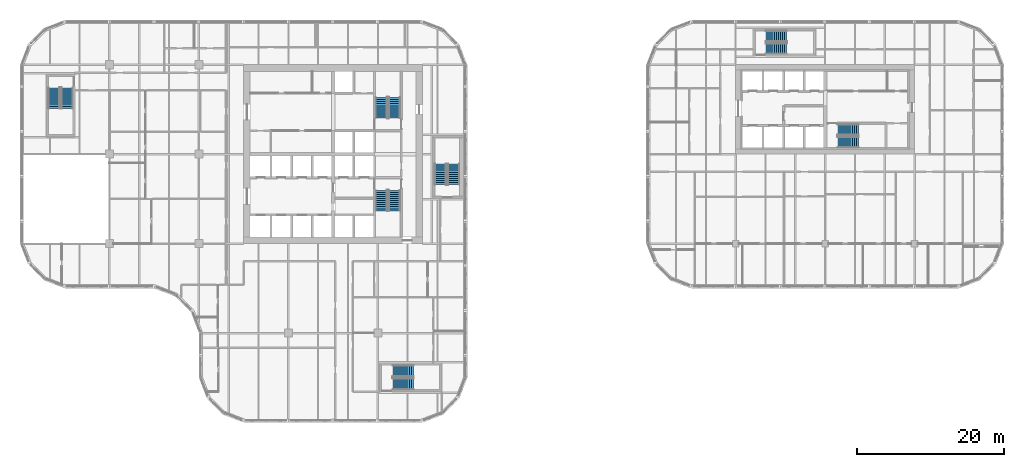
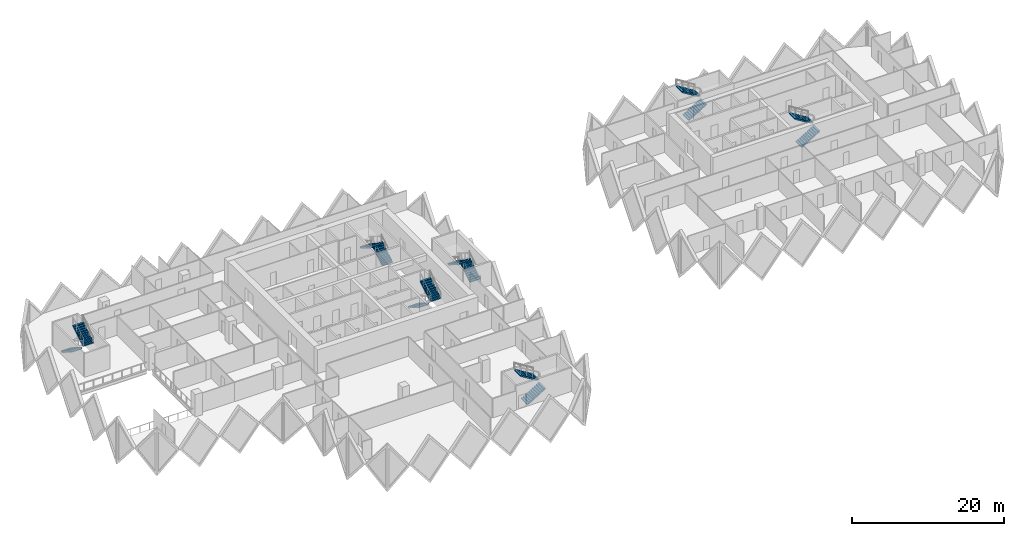
# One storey, part 17 of 19: 14 stair flights, 7 elements without a shape of their own.
"""IFC4 building model written with IfcOpenShell, lengths in metres."""

from ifc_helpers import new_model, si_unit, direction, frame, origin, place, context, subcontext, project, spatial, polyline, outline, extrude, material, type_object, element, aggregate, save


model = new_model("IFC4")

# Units and contexts
model_context = context("Model", 3, precision=1e-05, world=origin(), true_north=direction((0.0, 1.0)))
body_context = subcontext(model_context, "Body", "Model", "MODEL_VIEW")
ifc_project = project(units=[si_unit("LENGTHUNIT", "METRE"), si_unit("AREAUNIT", "SQUARE_METRE"), si_unit("VOLUMEUNIT", "CUBIC_METRE"), si_unit("PLANEANGLEUNIT", "RADIAN"), si_unit("MASSUNIT", "GRAM", prefix="KILO")], contexts=[model_context])

# Site, building, storey
site_placement = place(None, origin())
site = spatial("IfcSite", under=ifc_project, at=site_placement, CompositionType="ELEMENT")
building_placement = place(site_placement, origin())
building = spatial("IfcBuilding", under=site, at=building_placement, Name="Tessera Gate Towers", CompositionType="ELEMENT")
storey_placement = place(building_placement, frame((0.0, 0.0, 29.60009765625)))
storey = spatial("IfcBuildingStorey", under=building, at=storey_placement, Name="L06", CompositionType="ELEMENT", Elevation=29.60009765625)

# Stair, stair flights
ifc_material_1 = material(Name="Concrete C40/50", Category="concrete")
stair_type_1 = type_object("IfcStairType", Name="EXIT STAIR ST1 1600", PredefinedType="HALF_TURN_STAIR", material=ifc_material_1)
stair_1_placement = place(storey_placement, origin())
stair_1 = element("IfcStair", 1, at=stair_1_placement, inside=storey, type_object=stair_type_1, Name="L06 Protected Exit Stair ST1", PredefinedType="HALF_TURN_STAIR")
ifc_material_2 = material(Name="Concrete C40/50", Category="concrete")
stair_flight_type_1 = type_object("IfcStairFlightType", Name="EXIT STAIR FLIGHT ST1 1600", PredefinedType="STRAIGHT", material=ifc_material_2)
stair_flight_1_placement = place(storey_placement, frame((49.27490234375, 31.675048828125, 0.0), z_axis=(0.0, 0.0, 1.0), x_axis=(0.0, -1.0, 0.0)))
stair_flight_1 = element("IfcStairFlight", 2, at=stair_flight_1_placement, type_object=stair_flight_type_1, Name="ST1 flight 1", NumberOfRisers=11, NumberOfTreads=10, PredefinedType="STRAIGHT", RiserHeight=0.172727273, TreadLength=0.28, context=body_context, shape_type="SweptSolid", body=[
    extrude(outline(polyline([(0.0, 0.0), (0.0, 0.172607421875), (0.280029296875, 0.172607421875), (0.280029296875, 0.345458984375), (0.56005859375, 0.345458984375), (0.56005859375, 0.51806640625), (0.840087890625, 0.51806640625), (0.840087890625, 0.69091796875), (1.1201171875, 0.69091796875), (1.1201171875, 0.863525390625), (1.39990234375, 0.863525390625), (1.39990234375, 1.036376953125), (1.679931640625, 1.036376953125), (1.679931640625, 1.208984375), (1.9599609375, 1.208984375), (1.9599609375, 1.3818359375), (2.239990234375, 1.3818359375), (2.239990234375, 1.554443359375), (2.52001953125, 1.554443359375), (2.52001953125, 1.727294921875), (2.800048828125, 1.727294921875), (2.800048828125, 1.89990234375), (2.800048828125, 1.551025390625), (0.285400390625, 0.0), (0.0, 0.0)])), frame((0.0, 0.800048828125, 0.0), z_axis=(0.0, -1.0, 0.0), x_axis=(1.0, 0.0, 0.0)), (0.0, 0.0, 1.0), 1.60009765625),
])
stair_flight_2_placement = place(storey_placement, frame((51.074951171875, 28.875, 1.89990234375), z_axis=(0.0, 0.0, 1.0), x_axis=(0.0, 1.0, 0.0)))
stair_flight_2 = element("IfcStairFlight", 3, at=stair_flight_2_placement, type_object=stair_flight_type_1, Name="ST1 flight 2", NumberOfRisers=11, NumberOfTreads=10, PredefinedType="STRAIGHT", RiserHeight=0.172727273, TreadLength=0.28, context=body_context, shape_type="SweptSolid", body=[
    extrude(outline(polyline([(0.0, 0.0), (0.0, 0.172607421875), (0.280029296875, 0.172607421875), (0.280029296875, 0.345458984375), (0.56005859375, 0.345458984375), (0.56005859375, 0.51806640625), (0.840087890625, 0.51806640625), (0.840087890625, 0.69091796875), (1.1201171875, 0.69091796875), (1.1201171875, 0.863525390625), (1.39990234375, 0.863525390625), (1.39990234375, 1.036376953125), (1.679931640625, 1.036376953125), (1.679931640625, 1.208984375), (1.9599609375, 1.208984375), (1.9599609375, 1.3818359375), (2.239990234375, 1.3818359375), (2.239990234375, 1.554443359375), (2.52001953125, 1.554443359375), (2.52001953125, 1.727294921875), (2.800048828125, 1.727294921875), (2.800048828125, 1.89990234375), (2.800048828125, 1.551025390625), (0.285400390625, 0.0), (0.0, 0.0)])), frame((0.0, 0.800048828125, 0.0), z_axis=(0.0, -1.0, 0.0), x_axis=(1.0, 0.0, 0.0)), (0.0, 0.0, 1.0), 1.60009765625),
])
aggregate(stair_1, [stair_flight_1, stair_flight_2])

ifc_material_3 = material(Name="Concrete C40/50", Category="concrete")
stair_type_2 = type_object("IfcStairType", Name="EXIT STAIR ST2 1600", PredefinedType="HALF_TURN_STAIR", material=ifc_material_3)
stair_2_placement = place(storey_placement, origin())
stair_2 = element("IfcStair", 4, at=stair_2_placement, inside=storey, type_object=stair_type_2, Name="L06 Protected Exit Stair ST2", PredefinedType="HALF_TURN_STAIR")
ifc_material_4 = material(Name="Concrete C40/50", Category="concrete")
stair_flight_type_2 = type_object("IfcStairFlightType", Name="EXIT STAIR FLIGHT ST2 1600", PredefinedType="STRAIGHT", material=ifc_material_4)
stair_flight_3_placement = place(storey_placement, frame((51.074951171875, 41.52490234375, 0.0), z_axis=(0.0, 0.0, 1.0), x_axis=(0.0, 1.0, 0.0)))
stair_flight_3 = element("IfcStairFlight", 5, at=stair_flight_3_placement, type_object=stair_flight_type_2, Name="ST2 flight 1", NumberOfRisers=11, NumberOfTreads=10, PredefinedType="STRAIGHT", RiserHeight=0.172727273, TreadLength=0.28, context=body_context, shape_type="SweptSolid", body=[
    extrude(outline(polyline([(0.0, 0.0), (0.0, 0.172607421875), (0.280029296875, 0.172607421875), (0.280029296875, 0.345458984375), (0.56005859375, 0.345458984375), (0.56005859375, 0.51806640625), (0.840087890625, 0.51806640625), (0.840087890625, 0.69091796875), (1.1201171875, 0.69091796875), (1.1201171875, 0.863525390625), (1.39990234375, 0.863525390625), (1.39990234375, 1.036376953125), (1.679931640625, 1.036376953125), (1.679931640625, 1.208984375), (1.9599609375, 1.208984375), (1.9599609375, 1.3818359375), (2.239990234375, 1.3818359375), (2.239990234375, 1.554443359375), (2.52001953125, 1.554443359375), (2.52001953125, 1.727294921875), (2.800048828125, 1.727294921875), (2.800048828125, 1.89990234375), (2.800048828125, 1.551025390625), (0.285400390625, 0.0), (0.0, 0.0)])), frame((0.0, 0.800048828125, 0.0), z_axis=(0.0, -1.0, 0.0), x_axis=(1.0, 0.0, 0.0)), (0.0, 0.0, 1.0), 1.60009765625),
])
stair_flight_4_placement = place(storey_placement, frame((49.27490234375, 44.324951171875, 1.89990234375), z_axis=(0.0, 0.0, 1.0), x_axis=(0.0, -1.0, 0.0)))
stair_flight_4 = element("IfcStairFlight", 6, at=stair_flight_4_placement, type_object=stair_flight_type_2, Name="ST2 flight 2", NumberOfRisers=11, NumberOfTreads=10, PredefinedType="STRAIGHT", RiserHeight=0.172727273, TreadLength=0.28, context=body_context, shape_type="SweptSolid", body=[
    extrude(outline(polyline([(0.0, 0.0), (0.0, 0.172607421875), (0.280029296875, 0.172607421875), (0.280029296875, 0.345458984375), (0.56005859375, 0.345458984375), (0.56005859375, 0.51806640625), (0.840087890625, 0.51806640625), (0.840087890625, 0.69091796875), (1.1201171875, 0.69091796875), (1.1201171875, 0.863525390625), (1.39990234375, 0.863525390625), (1.39990234375, 1.036376953125), (1.679931640625, 1.036376953125), (1.679931640625, 1.208984375), (1.9599609375, 1.208984375), (1.9599609375, 1.3818359375), (2.239990234375, 1.3818359375), (2.239990234375, 1.554443359375), (2.52001953125, 1.554443359375), (2.52001953125, 1.727294921875), (2.800048828125, 1.727294921875), (2.800048828125, 1.89990234375), (2.800048828125, 1.551025390625), (0.285400390625, 0.0), (0.0, 0.0)])), frame((0.0, 0.800048828125, 0.0), z_axis=(0.0, -1.0, 0.0), x_axis=(1.0, 0.0, 0.0)), (0.0, 0.0, 1.0), 1.60009765625),
])
aggregate(stair_2, [stair_flight_3, stair_flight_4])

ifc_material_5 = material(Name="Concrete C40/50", Category="concrete")
stair_type_3 = type_object("IfcStairType", Name="EXIT STAIR ST3 1600", PredefinedType="HALF_TURN_STAIR", material=ifc_material_5)
stair_3_placement = place(storey_placement, origin())
stair_3 = element("IfcStair", 7, at=stair_3_placement, inside=storey, type_object=stair_type_3, Name="L06 West Exit Stair ST3", PredefinedType="HALF_TURN_STAIR")
ifc_material_6 = material(Name="Concrete C40/50", Category="concrete")
stair_flight_type_3 = type_object("IfcStairFlightType", Name="EXIT STAIR FLIGHT ST3 1600", PredefinedType="STRAIGHT", material=ifc_material_6)
stair_flight_5_placement = place(storey_placement, frame((4.64990234375, 45.64990234375, 0.0), z_axis=(0.0, 0.0, 1.0), x_axis=(0.0, -1.0, 0.0)))
stair_flight_5 = element("IfcStairFlight", 8, at=stair_flight_5_placement, type_object=stair_flight_type_3, Name="ST3 flight 1", NumberOfRisers=11, NumberOfTreads=10, PredefinedType="STRAIGHT", RiserHeight=0.172727273, TreadLength=0.28, context=body_context, shape_type="SweptSolid", body=[
    extrude(outline(polyline([(0.0, 0.0), (0.0, 0.172607421875), (0.280029296875, 0.172607421875), (0.280029296875, 0.345458984375), (0.56005859375, 0.345458984375), (0.56005859375, 0.51806640625), (0.840087890625, 0.51806640625), (0.840087890625, 0.69091796875), (1.1201171875, 0.69091796875), (1.1201171875, 0.863525390625), (1.39990234375, 0.863525390625), (1.39990234375, 1.036376953125), (1.679931640625, 1.036376953125), (1.679931640625, 1.208984375), (1.9599609375, 1.208984375), (1.9599609375, 1.3818359375), (2.239990234375, 1.3818359375), (2.239990234375, 1.554443359375), (2.52001953125, 1.554443359375), (2.52001953125, 1.727294921875), (2.800048828125, 1.727294921875), (2.800048828125, 1.89990234375), (2.800048828125, 1.551025390625), (0.285400390625, 0.0), (0.0, 0.0)])), frame((0.0, 0.800048828125, 0.0), z_axis=(0.0, -1.0, 0.0), x_axis=(1.0, 0.0, 0.0)), (0.0, 0.0, 1.0), 1.60009765625),
])
stair_flight_6_placement = place(storey_placement, frame((6.449951171875, 42.85009765625, 1.89990234375), z_axis=(0.0, 0.0, 1.0), x_axis=(0.0, 1.0, 0.0)))
stair_flight_6 = element("IfcStairFlight", 9, at=stair_flight_6_placement, type_object=stair_flight_type_3, Name="ST3 flight 2", NumberOfRisers=11, NumberOfTreads=10, PredefinedType="STRAIGHT", RiserHeight=0.172727273, TreadLength=0.28, context=body_context, shape_type="SweptSolid", body=[
    extrude(outline(polyline([(0.0, 0.0), (0.0, 0.172607421875), (0.280029296875, 0.172607421875), (0.280029296875, 0.345458984375), (0.56005859375, 0.345458984375), (0.56005859375, 0.51806640625), (0.840087890625, 0.51806640625), (0.840087890625, 0.69091796875), (1.1201171875, 0.69091796875), (1.1201171875, 0.863525390625), (1.39990234375, 0.863525390625), (1.39990234375, 1.036376953125), (1.679931640625, 1.036376953125), (1.679931640625, 1.208984375), (1.9599609375, 1.208984375), (1.9599609375, 1.3818359375), (2.239990234375, 1.3818359375), (2.239990234375, 1.554443359375), (2.52001953125, 1.554443359375), (2.52001953125, 1.727294921875), (2.800048828125, 1.727294921875), (2.800048828125, 1.89990234375), (2.800048828125, 1.551025390625), (0.285400390625, 0.0), (0.0, 0.0)])), frame((0.0, 0.800048828125, 0.0), z_axis=(0.0, -1.0, 0.0), x_axis=(1.0, 0.0, 0.0)), (0.0, 0.0, 1.0), 1.60009765625),
])
aggregate(stair_3, [stair_flight_5, stair_flight_6])

ifc_material_7 = material(Name="Concrete C40/50", Category="concrete")
stair_type_4 = type_object("IfcStairType", Name="EXIT STAIR ST4 1600", PredefinedType="HALF_TURN_STAIR", material=ifc_material_7)
stair_4_placement = place(storey_placement, origin())
stair_4 = element("IfcStair", 10, at=stair_4_placement, inside=storey, type_object=stair_type_4, Name="L06 South Exit Stair ST4", PredefinedType="HALF_TURN_STAIR")
ifc_material_8 = material(Name="Concrete C40/50", Category="concrete")
stair_flight_type_4 = type_object("IfcStairFlightType", Name="EXIT STAIR FLIGHT ST4 1600", PredefinedType="STRAIGHT", material=ifc_material_8)
stair_flight_7_placement = place(storey_placement, frame((50.85009765625, 5.25, 0.0), z_axis=(0.0, 0.0, 1.0), x_axis=(1.0, 0.0, 0.0)))
stair_flight_7 = element("IfcStairFlight", 11, at=stair_flight_7_placement, type_object=stair_flight_type_4, Name="ST4 flight 1", NumberOfRisers=11, NumberOfTreads=10, PredefinedType="STRAIGHT", RiserHeight=0.172727273, TreadLength=0.28, context=body_context, shape_type="SweptSolid", body=[
    extrude(outline(polyline([(0.0, 0.0), (0.0, 0.172607421875), (0.280029296875, 0.172607421875), (0.280029296875, 0.345458984375), (0.56005859375, 0.345458984375), (0.56005859375, 0.51806640625), (0.840087890625, 0.51806640625), (0.840087890625, 0.69091796875), (1.1201171875, 0.69091796875), (1.1201171875, 0.863525390625), (1.39990234375, 0.863525390625), (1.39990234375, 1.036376953125), (1.679931640625, 1.036376953125), (1.679931640625, 1.208984375), (1.9599609375, 1.208984375), (1.9599609375, 1.3818359375), (2.239990234375, 1.3818359375), (2.239990234375, 1.554443359375), (2.52001953125, 1.554443359375), (2.52001953125, 1.727294921875), (2.800048828125, 1.727294921875), (2.800048828125, 1.89990234375), (2.800048828125, 1.551025390625), (0.285400390625, 0.0), (0.0, 0.0)])), frame((0.0, 0.800048828125, 0.0), z_axis=(0.0, -1.0, 0.0), x_axis=(1.0, 0.0, 0.0)), (0.0, 0.0, 1.0), 1.60009765625),
])
stair_flight_8_placement = place(storey_placement, frame((53.64990234375, 7.050048828125, 1.89990234375), z_axis=(0.0, 0.0, 1.0), x_axis=(-1.0, 0.0, 0.0)))
stair_flight_8 = element("IfcStairFlight", 12, at=stair_flight_8_placement, type_object=stair_flight_type_4, Name="ST4 flight 2", NumberOfRisers=11, NumberOfTreads=10, PredefinedType="STRAIGHT", RiserHeight=0.172727273, TreadLength=0.28, context=body_context, shape_type="SweptSolid", body=[
    extrude(outline(polyline([(0.0, 0.0), (0.0, 0.172607421875), (0.280029296875, 0.172607421875), (0.280029296875, 0.345458984375), (0.56005859375, 0.345458984375), (0.56005859375, 0.51806640625), (0.840087890625, 0.51806640625), (0.840087890625, 0.69091796875), (1.1201171875, 0.69091796875), (1.1201171875, 0.863525390625), (1.39990234375, 0.863525390625), (1.39990234375, 1.036376953125), (1.679931640625, 1.036376953125), (1.679931640625, 1.208984375), (1.9599609375, 1.208984375), (1.9599609375, 1.3818359375), (2.239990234375, 1.3818359375), (2.239990234375, 1.554443359375), (2.52001953125, 1.554443359375), (2.52001953125, 1.727294921875), (2.800048828125, 1.727294921875), (2.800048828125, 1.89990234375), (2.800048828125, 1.551025390625), (0.285400390625, 0.0), (0.0, 0.0)])), frame((0.0, 0.800048828125, 0.0), z_axis=(0.0, -1.0, 0.0), x_axis=(1.0, 0.0, 0.0)), (0.0, 0.0, 1.0), 1.60009765625),
])
aggregate(stair_4, [stair_flight_7, stair_flight_8])

ifc_material_9 = material(Name="Concrete C40/50", Category="concrete")
stair_type_5 = type_object("IfcStairType", Name="EXIT STAIR ST5 1600", PredefinedType="HALF_TURN_STAIR", material=ifc_material_9)
stair_5_placement = place(storey_placement, origin())
stair_5 = element("IfcStair", 13, at=stair_5_placement, inside=storey, type_object=stair_type_5, Name="L06 East Exit Stair ST5", PredefinedType="HALF_TURN_STAIR")
ifc_material_10 = material(Name="Concrete C40/50", Category="concrete")
stair_flight_type_5 = type_object("IfcStairFlightType", Name="EXIT STAIR FLIGHT ST5 1600", PredefinedType="STRAIGHT", material=ifc_material_10)
stair_flight_9_placement = place(storey_placement, frame((59.14990234375, 32.449951171875, 0.0), z_axis=(0.0, 0.0, 1.0), x_axis=(0.0, 1.0, 0.0)))
stair_flight_9 = element("IfcStairFlight", 14, at=stair_flight_9_placement, type_object=stair_flight_type_5, Name="ST5 flight 1", NumberOfRisers=11, NumberOfTreads=10, PredefinedType="STRAIGHT", RiserHeight=0.172727273, TreadLength=0.28, context=body_context, shape_type="SweptSolid", body=[
    extrude(outline(polyline([(0.0, 0.0), (0.0, 0.172607421875), (0.280029296875, 0.172607421875), (0.280029296875, 0.345458984375), (0.56005859375, 0.345458984375), (0.56005859375, 0.51806640625), (0.840087890625, 0.51806640625), (0.840087890625, 0.69091796875), (1.1201171875, 0.69091796875), (1.1201171875, 0.863525390625), (1.39990234375, 0.863525390625), (1.39990234375, 1.036376953125), (1.679931640625, 1.036376953125), (1.679931640625, 1.208984375), (1.9599609375, 1.208984375), (1.9599609375, 1.3818359375), (2.239990234375, 1.3818359375), (2.239990234375, 1.554443359375), (2.52001953125, 1.554443359375), (2.52001953125, 1.727294921875), (2.800048828125, 1.727294921875), (2.800048828125, 1.89990234375), (2.800048828125, 1.551025390625), (0.285400390625, 0.0), (0.0, 0.0)])), frame((0.0, 0.800048828125, 0.0), z_axis=(0.0, -1.0, 0.0), x_axis=(1.0, 0.0, 0.0)), (0.0, 0.0, 1.0), 1.60009765625),
])
stair_flight_10_placement = place(storey_placement, frame((57.35009765625, 35.25, 1.89990234375), z_axis=(0.0, 0.0, 1.0), x_axis=(0.0, -1.0, 0.0)))
stair_flight_10 = element("IfcStairFlight", 15, at=stair_flight_10_placement, type_object=stair_flight_type_5, Name="ST5 flight 2", NumberOfRisers=11, NumberOfTreads=10, PredefinedType="STRAIGHT", RiserHeight=0.172727273, TreadLength=0.28, context=body_context, shape_type="SweptSolid", body=[
    extrude(outline(polyline([(0.0, 0.0), (0.0, 0.172607421875), (0.280029296875, 0.172607421875), (0.280029296875, 0.345458984375), (0.56005859375, 0.345458984375), (0.56005859375, 0.51806640625), (0.840087890625, 0.51806640625), (0.840087890625, 0.69091796875), (1.1201171875, 0.69091796875), (1.1201171875, 0.863525390625), (1.39990234375, 0.863525390625), (1.39990234375, 1.036376953125), (1.679931640625, 1.036376953125), (1.679931640625, 1.208984375), (1.9599609375, 1.208984375), (1.9599609375, 1.3818359375), (2.239990234375, 1.3818359375), (2.239990234375, 1.554443359375), (2.52001953125, 1.554443359375), (2.52001953125, 1.727294921875), (2.800048828125, 1.727294921875), (2.800048828125, 1.89990234375), (2.800048828125, 1.551025390625), (0.285400390625, 0.0), (0.0, 0.0)])), frame((0.0, 0.800048828125, 0.0), z_axis=(0.0, -1.0, 0.0), x_axis=(1.0, 0.0, 0.0)), (0.0, 0.0, 1.0), 1.60009765625),
])
aggregate(stair_5, [stair_flight_9, stair_flight_10])

ifc_material_11 = material(Name="Concrete C40/50", Category="concrete")
stair_type_6 = type_object("IfcStairType", Name="EXIT STAIR ST6 1500", PredefinedType="HALF_TURN_STAIR", material=ifc_material_11)
stair_6_placement = place(storey_placement, origin())
stair_6 = element("IfcStair", 16, at=stair_6_placement, inside=storey, type_object=stair_type_6, Name="L06 Protected Exit Stair ST6", PredefinedType="HALF_TURN_STAIR")
ifc_material_12 = material(Name="Concrete C40/50", Category="concrete")
stair_flight_type_6 = type_object("IfcStairFlightType", Name="EXIT STAIR FLIGHT ST6 1500", PredefinedType="STRAIGHT", material=ifc_material_12)
stair_flight_11_placement = place(storey_placement, frame((111.550048828125, 38.25, 0.0), z_axis=(0.0, 0.0, 1.0), x_axis=(1.0, 0.0, 0.0)))
stair_flight_11 = element("IfcStairFlight", 17, at=stair_flight_11_placement, type_object=stair_flight_type_6, Name="ST6 flight 1", NumberOfRisers=11, NumberOfTreads=10, PredefinedType="STRAIGHT", RiserHeight=0.172727273, TreadLength=0.28, context=body_context, shape_type="SweptSolid", body=[
    extrude(outline(polyline([(0.0, 0.0), (0.0, 0.172607421875), (0.280029296875, 0.172607421875), (0.280029296875, 0.345458984375), (0.56005859375, 0.345458984375), (0.56005859375, 0.51806640625), (0.840087890625, 0.51806640625), (0.840087890625, 0.69091796875), (1.1201171875, 0.69091796875), (1.1201171875, 0.863525390625), (1.39990234375, 0.863525390625), (1.39990234375, 1.036376953125), (1.679931640625, 1.036376953125), (1.679931640625, 1.208984375), (1.9599609375, 1.208984375), (1.9599609375, 1.3818359375), (2.239990234375, 1.3818359375), (2.239990234375, 1.554443359375), (2.52001953125, 1.554443359375), (2.52001953125, 1.727294921875), (2.800048828125, 1.727294921875), (2.800048828125, 1.89990234375), (2.800048828125, 1.551025390625), (0.285400390625, 0.0), (0.0, 0.0)])), frame((0.0, 0.75, 0.0), z_axis=(0.0, -1.0, 0.0), x_axis=(1.0, 0.0, 0.0)), (0.0, 0.0, 1.0), 1.5),
])
stair_flight_12_placement = place(storey_placement, frame((114.35009765625, 39.949951171875, 1.89990234375), z_axis=(0.0, 0.0, 1.0), x_axis=(-1.0, 0.0, 0.0)))
stair_flight_12 = element("IfcStairFlight", 18, at=stair_flight_12_placement, type_object=stair_flight_type_6, Name="ST6 flight 2", NumberOfRisers=11, NumberOfTreads=10, PredefinedType="STRAIGHT", RiserHeight=0.172727273, TreadLength=0.28, context=body_context, shape_type="SweptSolid", body=[
    extrude(outline(polyline([(0.0, 0.0), (0.0, 0.172607421875), (0.280029296875, 0.172607421875), (0.280029296875, 0.345458984375), (0.56005859375, 0.345458984375), (0.56005859375, 0.51806640625), (0.840087890625, 0.51806640625), (0.840087890625, 0.69091796875), (1.1201171875, 0.69091796875), (1.1201171875, 0.863525390625), (1.39990234375, 0.863525390625), (1.39990234375, 1.036376953125), (1.679931640625, 1.036376953125), (1.679931640625, 1.208984375), (1.9599609375, 1.208984375), (1.9599609375, 1.3818359375), (2.239990234375, 1.3818359375), (2.239990234375, 1.554443359375), (2.52001953125, 1.554443359375), (2.52001953125, 1.727294921875), (2.800048828125, 1.727294921875), (2.800048828125, 1.89990234375), (2.800048828125, 1.551025390625), (0.285400390625, 0.0), (0.0, 0.0)])), frame((0.0, 0.75, 0.0), z_axis=(0.0, -1.0, 0.0), x_axis=(1.0, 0.0, 0.0)), (0.0, 0.0, 1.0), 1.5),
])
aggregate(stair_6, [stair_flight_11, stair_flight_12])

ifc_material_13 = material(Name="Concrete C40/50", Category="concrete")
stair_type_7 = type_object("IfcStairType", Name="EXIT STAIR ST7 1500", PredefinedType="HALF_TURN_STAIR", material=ifc_material_13)
stair_7_placement = place(storey_placement, origin())
stair_7 = element("IfcStair", 19, at=stair_7_placement, inside=storey, type_object=stair_type_7, Name="L06 North Exit Stair ST7", PredefinedType="HALF_TURN_STAIR")
ifc_material_14 = material(Name="Concrete C40/50", Category="concrete")
stair_flight_type_7 = type_object("IfcStairFlightType", Name="EXIT STAIR FLIGHT ST7 1500", PredefinedType="STRAIGHT", material=ifc_material_14)
stair_flight_13_placement = place(storey_placement, frame((101.75, 51.0, 0.0), z_axis=(0.0, 0.0, 1.0), x_axis=(1.0, 0.0, 0.0)))
stair_flight_13 = element("IfcStairFlight", 20, at=stair_flight_13_placement, type_object=stair_flight_type_7, Name="ST7 flight 1", NumberOfRisers=11, NumberOfTreads=10, PredefinedType="STRAIGHT", RiserHeight=0.172727273, TreadLength=0.28, context=body_context, shape_type="SweptSolid", body=[
    extrude(outline(polyline([(0.0, 0.0), (0.0, 0.172607421875), (0.280029296875, 0.172607421875), (0.280029296875, 0.345458984375), (0.56005859375, 0.345458984375), (0.56005859375, 0.51806640625), (0.840087890625, 0.51806640625), (0.840087890625, 0.69091796875), (1.1201171875, 0.69091796875), (1.1201171875, 0.863525390625), (1.39990234375, 0.863525390625), (1.39990234375, 1.036376953125), (1.679931640625, 1.036376953125), (1.679931640625, 1.208984375), (1.9599609375, 1.208984375), (1.9599609375, 1.3818359375), (2.239990234375, 1.3818359375), (2.239990234375, 1.554443359375), (2.52001953125, 1.554443359375), (2.52001953125, 1.727294921875), (2.800048828125, 1.727294921875), (2.800048828125, 1.89990234375), (2.800048828125, 1.551025390625), (0.285400390625, 0.0), (0.0, 0.0)])), frame((0.0, 0.75, 0.0), z_axis=(0.0, -1.0, 0.0), x_axis=(1.0, 0.0, 0.0)), (0.0, 0.0, 1.0), 1.5),
])
stair_flight_14_placement = place(storey_placement, frame((104.550048828125, 52.699951171875, 1.89990234375), z_axis=(0.0, 0.0, 1.0), x_axis=(-1.0, 0.0, 0.0)))
stair_flight_14 = element("IfcStairFlight", 21, at=stair_flight_14_placement, type_object=stair_flight_type_7, Name="ST7 flight 2", NumberOfRisers=11, NumberOfTreads=10, PredefinedType="STRAIGHT", RiserHeight=0.172727273, TreadLength=0.28, context=body_context, shape_type="SweptSolid", body=[
    extrude(outline(polyline([(0.0, 0.0), (0.0, 0.172607421875), (0.280029296875, 0.172607421875), (0.280029296875, 0.345458984375), (0.56005859375, 0.345458984375), (0.56005859375, 0.51806640625), (0.840087890625, 0.51806640625), (0.840087890625, 0.69091796875), (1.1201171875, 0.69091796875), (1.1201171875, 0.863525390625), (1.39990234375, 0.863525390625), (1.39990234375, 1.036376953125), (1.679931640625, 1.036376953125), (1.679931640625, 1.208984375), (1.9599609375, 1.208984375), (1.9599609375, 1.3818359375), (2.239990234375, 1.3818359375), (2.239990234375, 1.554443359375), (2.52001953125, 1.554443359375), (2.52001953125, 1.727294921875), (2.800048828125, 1.727294921875), (2.800048828125, 1.89990234375), (2.800048828125, 1.551025390625), (0.285400390625, 0.0), (0.0, 0.0)])), frame((0.0, 0.75, 0.0), z_axis=(0.0, -1.0, 0.0), x_axis=(1.0, 0.0, 0.0)), (0.0, 0.0, 1.0), 1.5),
])
aggregate(stair_7, [stair_flight_13, stair_flight_14])

save(model, "model.ifc")
